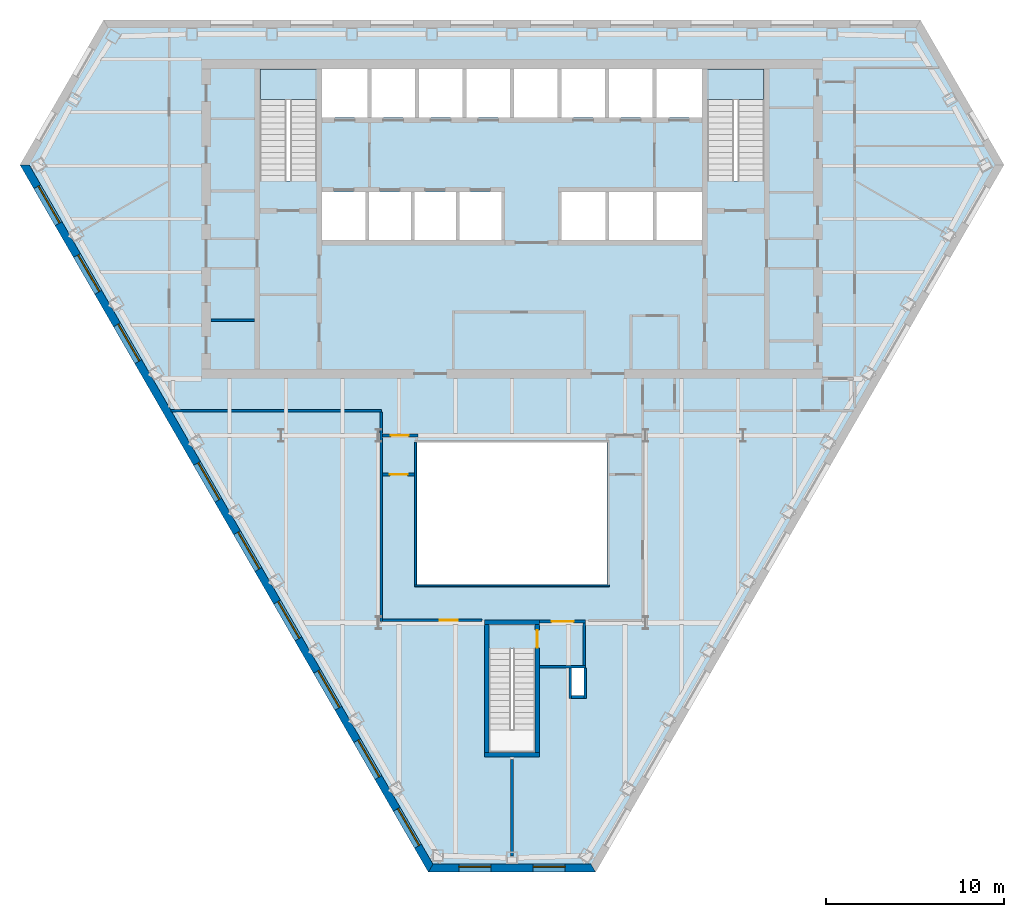
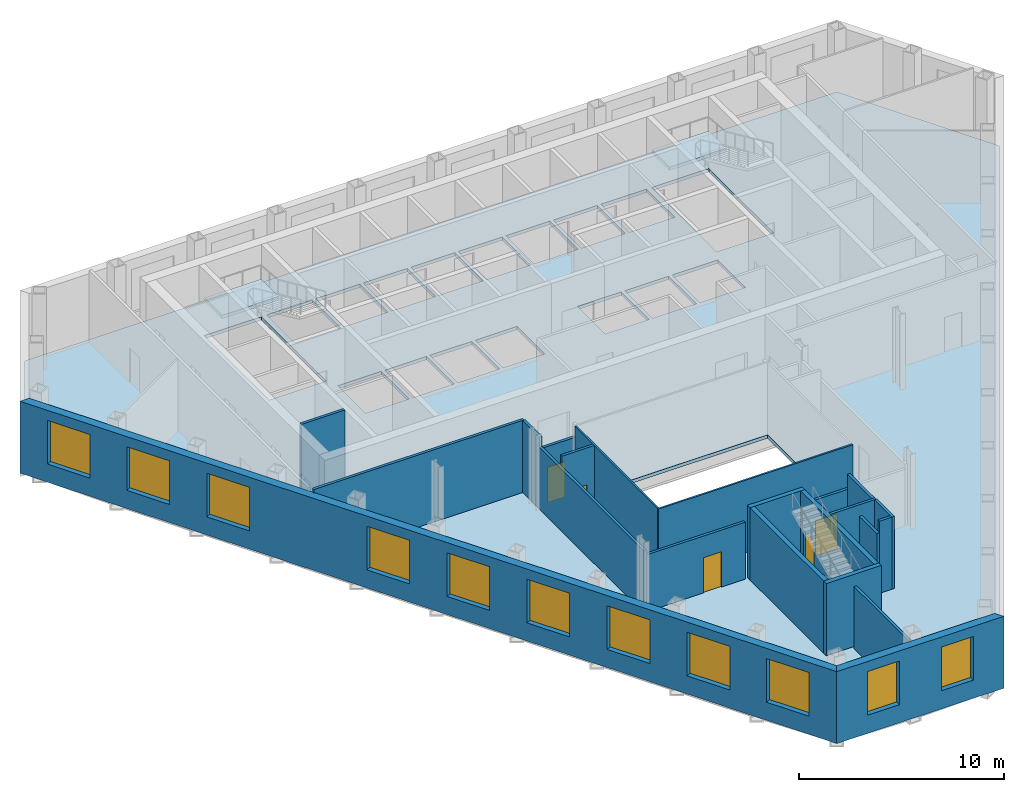
# One storey, part 4 of 11: 22 walls, 11 windows, 5 doors, 3 slabs, 16 openings, 2 elements without a shape of their own.
"""IFC4 building model written with IfcOpenShell, lengths in metres."""

from ifc_helpers import new_model, si_unit, direction, frame, frame_2d, origin, place, context, subcontext, project, spatial, polyline, rectangle, outline, extrude, material, layer, layer_set, type_object, element, fill, aggregate, save


model = new_model("IFC4")

# Units and contexts
model_context = context("Model", 3, precision=1e-05, world=origin(), true_north=direction((0.0, 1.0)))
body_context = subcontext(model_context, "Body", "Model", "MODEL_VIEW")
ifc_project = project(units=[si_unit("LENGTHUNIT", "METRE"), si_unit("AREAUNIT", "SQUARE_METRE"), si_unit("VOLUMEUNIT", "CUBIC_METRE"), si_unit("PLANEANGLEUNIT", "RADIAN"), si_unit("MASSUNIT", "GRAM", prefix="KILO")], contexts=[model_context])

# Site, building, storey
site_placement = place(None, origin())
site = spatial("IfcSite", under=ifc_project, at=site_placement, CompositionType="ELEMENT")
building_placement = place(site_placement, origin())
building = spatial("IfcBuilding", under=site, at=building_placement, Name="Njiva Tower", CompositionType="ELEMENT")
storey_placement = place(building_placement, frame((0.0, 0.0, 124.8)))
storey = spatial("IfcBuildingStorey", under=building, at=storey_placement, Name="L26", CompositionType="ELEMENT", Elevation=124.8)

# Stair, slab
ifc_material_1 = material(Name="Concrete C40/50", Category="concrete")
stair_type = type_object("IfcStairType", Name="ST4 Exit stair 1500", PredefinedType="HALF_TURN_STAIR", material=ifc_material_1)
stair_1_placement = place(storey_placement, origin())
stair_1 = element("IfcStair", 1, at=stair_1_placement, inside=storey, type_object=stair_type, Name="Stair A", PredefinedType="HALF_TURN_STAIR")
ifc_layer_1 = layer(ifc_material_1, 0.2)
ifc_layer_set_1 = layer_set([ifc_layer_1], Name="Concrete C40/50")
slab_type_1 = type_object("IfcSlabType", Name="FL9 Stair landing 200", PredefinedType="LANDING", material=ifc_layer_set_1)
slab_1_placement = place(storey_placement, frame((0.0, 0.0, 2.05)))
slab_1 = element("IfcSlab", 2, at=slab_1_placement, type_object=slab_type_1, Name="ST-A landing 1", PredefinedType="LANDING", context=body_context, shape_type="SweptSolid", body=[
    extrude(outline(polyline([(-14.206, 15.72), (-10.994, 15.72), (-10.994, 17.45), (-14.206, 17.45), (-14.206, 15.72)])), origin(), (0.0, 0.0, 1.0), 0.2),
])
aggregate(stair_1, [slab_1])

stair_2_placement = place(storey_placement, origin())
stair_2 = element("IfcStair", 3, at=stair_2_placement, inside=storey, type_object=stair_type, Name="Stair B", PredefinedType="HALF_TURN_STAIR")
slab_2_placement = place(storey_placement, frame((0.0, 0.0, 2.05)))
slab_2 = element("IfcSlab", 4, at=slab_2_placement, type_object=slab_type_1, Name="ST-B landing 1", PredefinedType="LANDING", context=body_context, shape_type="SweptSolid", body=[
    extrude(outline(polyline([(10.994, 15.72), (14.206, 15.72), (14.206, 17.45), (10.994, 17.45), (10.994, 15.72)])), origin(), (0.0, 0.0, 1.0), 0.2),
])
aggregate(stair_2, [slab_2])

# Slab
ifc_material_2 = material(Name="Concrete C30/37", Category="concrete")
ifc_layer_2 = layer(ifc_material_2, 0.2)
ifc_layer_set_2 = layer_set([ifc_layer_2], Name="Concrete C30/37")
slab_type_2 = type_object("IfcSlabType", Name="SL16 Composite floor slab 200", PredefinedType="FLOOR", material=ifc_layer_set_2)
slab_3_placement = place(storey_placement, frame((0.0, 0.0, -0.2)))
element("IfcSlab", 5, at=slab_3_placement, inside=storey, type_object=slab_type_2, Name="Floor slab L26", PredefinedType="FLOOR", context=body_context, shape_type="SweptSolid", body=[
    extrude(outline(polyline([(27.4502, 12.042), (4.5801, -27.5701), (-4.5801, -27.5701), (-27.4502, 12.042), (-22.8701, 19.975), (22.8701, 19.975), (27.4502, 12.042)]), holes=[polyline([(10.994, 11.13), (14.206, 11.13), (14.206, 17.45), (10.994, 17.45), (10.994, 11.13)]), polyline([(8.125, 17.45), (8.125, 14.7), (10.7, 14.7), (10.7, 17.45), (8.125, 17.45)]), polyline([(8.1333, 10.5), (8.1333, 7.8), (10.7, 7.8), (10.7, 10.5), (8.1333, 10.5)]), polyline([(5.4667, 10.5), (5.4667, 7.8), (7.9333, 7.8), (7.9333, 10.5), (5.4667, 10.5)]), polyline([(5.45, 17.45), (5.45, 14.7), (7.925, 14.7), (7.925, 17.45), (5.45, 17.45)]), polyline([(5.36, -11.6), (5.36, -3.6), (-5.36, -3.6), (-5.36, -11.6), (5.36, -11.6)]), polyline([(2.8, 7.8), (5.2667, 7.8), (5.2667, 10.5), (2.8, 10.5), (2.8, 7.8)]), polyline([(2.775, 14.7), (5.25, 14.7), (5.25, 17.45), (2.775, 17.45), (2.775, 14.7)]), polyline([(3.35, -17.85), (4.05, -17.85), (4.05, -16.3), (3.35, -16.3), (3.35, -17.85)]), polyline([(0.1, 14.7), (2.575, 14.7), (2.575, 17.45), (0.1, 17.45), (0.1, 14.7)]), polyline([(-1.306, -21.05), (1.306, -21.05), (1.306, -15.19), (-1.306, -15.19), (-1.306, -21.05)]), polyline([(-2.575, 17.45), (-2.575, 14.7), (-0.1, 14.7), (-0.1, 17.45), (-2.575, 17.45)]), polyline([(-2.95, 10.5), (-2.95, 7.8), (-0.6, 7.8), (-0.6, 10.5), (-2.95, 10.5)]), polyline([(-5.25, 17.45), (-5.25, 14.7), (-2.775, 14.7), (-2.775, 17.45), (-5.25, 17.45)]), polyline([(-5.5, 10.5), (-5.5, 7.8), (-3.15, 7.8), (-3.15, 10.5), (-5.5, 10.5)]), polyline([(-7.925, 14.7), (-5.45, 14.7), (-5.45, 17.45), (-7.925, 17.45), (-7.925, 14.7)]), polyline([(-8.05, 7.8), (-5.7, 7.8), (-5.7, 10.5), (-8.05, 10.5), (-8.05, 7.8)]), polyline([(-10.7, 14.7), (-8.125, 14.7), (-8.125, 17.45), (-10.7, 17.45), (-10.7, 14.7)]), polyline([(-10.7, 7.8), (-8.25, 7.8), (-8.25, 10.5), (-10.7, 10.5), (-10.7, 7.8)]), polyline([(-14.206, 11.13), (-10.994, 11.13), (-10.994, 17.45), (-14.206, 17.45), (-14.206, 11.13)])]), origin(), (0.0, 0.0, 1.0), 0.2),
])

# Walls
ifc_material_3 = material(Name="Blockwork", Category="masonry")
ifc_layer_3 = layer(ifc_material_3, 0.15)
ifc_layer_set_3 = layer_set([ifc_layer_3], Name="Blockwork")
wall_type_1 = type_object("IfcWallType", Name="WT1 Compartment partition 150", PredefinedType="PARTITIONING", material=ifc_layer_set_3)
wall_1_placement = place(storey_placement, frame((-16.95, 3.2986, 0.0), z_axis=(0.0, 0.0, 1.0), x_axis=(1.0, 0.0, 0.0)))
element("IfcWall", 6, at=wall_1_placement, inside=storey, type_object=wall_type_1, Name="Partition strip W00", PredefinedType="PARTITIONING", context=body_context, shape_type="SweptSolid", body=[
    extrude(rectangle(XDim=2.45, YDim=0.15, at=frame_2d((1.225, 0.0))), origin(), (0.0, 0.0, 1.0), 4.3),
])
ifc_material_4 = material(Name="Gypsum board on steel studs", Category="gypsum")
ifc_layer_4 = layer(ifc_material_4, 0.15)
ifc_layer_set_4 = layer_set([ifc_layer_4], Name="Gypsum board on steel studs")
wall_type_2 = type_object("IfcWallType", Name="WT21 Compartment wall 150", PredefinedType="PARTITIONING", material=ifc_layer_set_4)
wall_2_placement = place(storey_placement, frame((-19.198, -1.8, 0.0), z_axis=(0.0, 0.0, 1.0), x_axis=(1.0, 0.0, 0.0)))
element("IfcWall", 7, at=wall_2_placement, inside=storey, type_object=wall_type_2, Name="Partition S09-P003", PredefinedType="PARTITIONING", context=body_context, shape_type="SweptSolid", body=[
    extrude(rectangle(XDim=11.838, YDim=0.15, at=frame_2d((5.919, 0.0))), origin(), (0.0, 0.0, 1.0), 4.3),
])
wall_3_placement = place(storey_placement, frame((-7.36, -13.675, 0.0), z_axis=(0.0, 0.0, 1.0), x_axis=(0.0, 1.0, 0.0)))
element("IfcWall", 8, at=wall_3_placement, inside=storey, type_object=wall_type_2, Name="Partition S09-P004", PredefinedType="PARTITIONING", context=body_context, shape_type="SweptSolid", body=[
    extrude(rectangle(XDim=10.167, YDim=0.15, at=frame_2d((5.0835, 0.0))), origin(), (0.0, 0.0, 1.0), 3.7),
])
wall_4_placement = place(storey_placement, frame((-7.36, -3.508, 0.0), z_axis=(0.0, 0.0, 1.0), x_axis=(0.0, 1.0, 0.0)))
element("IfcWall", 9, at=wall_4_placement, inside=storey, type_object=wall_type_2, Name="Partition S09-P004A", PredefinedType="PARTITIONING", context=body_context, shape_type="SweptSolid", body=[
    extrude(rectangle(XDim=1.633, YDim=0.15, at=frame_2d((0.8165, 0.0))), origin(), (0.0, 0.0, 1.0), 4.3),
])

# Wall, opening, door
wall_5_placement = place(storey_placement, frame((-7.285, -13.6, 0.0), z_axis=(0.0, 0.0, 1.0), x_axis=(1.0, 0.0, 0.0)))
wall_5 = element("IfcWall", 10, at=wall_5_placement, inside=storey, type_object=wall_type_2, Name="Partition S09-P005", PredefinedType="PARTITIONING", context=body_context, shape_type="SweptSolid", body=[
    extrude(rectangle(XDim=5.585, YDim=0.15, at=frame_2d((2.7925, 0.0))), origin(), (0.0, 0.0, 1.0), 3.39),
])
opening_1_placement = place(wall_5_placement, frame((3.224, 0.0, 0.0)))
opening_1 = element("IfcOpeningElement", 11, at=opening_1_placement, cuts=wall_5, Name="Opening S09-D003", PredefinedType="OPENING", context=body_context, shape_type="SweptSolid", body=[
    extrude(rectangle(XDim=1.0, YDim=2.1, at=frame_2d((0.5, 1.05))), frame((0.0, 0.085, 0.0), z_axis=(0.0, -1.0, 0.0), x_axis=(1.0, 0.0, 0.0)), (0.0, 0.0, 1.0), 0.17),
])
ifc_material_5 = material(Name="Steel fire door set", Category="steel")
door_type_1 = type_object("IfcDoorType", Name="D37 Fire door 1000x2100", OperationType="SINGLE_SWING_LEFT", PredefinedType="DOOR", material=ifc_material_5)
door_1_placement = place(opening_1_placement, origin())
door_1 = element("IfcDoor", 12, at=door_1_placement, inside=storey, type_object=door_type_1, Name="Door S09-D003", OperationType="SINGLE_SWING_RIGHT", OverallHeight=2.1, OverallWidth=1.0, PredefinedType="DOOR", context=body_context, shape_type="SweptSolid", body=[
    extrude(rectangle(XDim=1.0, YDim=2.1, at=frame_2d((0.5, 1.05))), frame((0.0, 0.025, 0.0), z_axis=(0.0, -1.0, 0.0), x_axis=(1.0, 0.0, 0.0)), (0.0, 0.0, 1.0), 0.05),
])
fill(opening_1, door_1)

wall_6_placement = place(storey_placement, frame((-7.285, -5.4, 0.0), z_axis=(0.0, 0.0, 1.0), x_axis=(1.0, 0.0, 0.0)))
wall_6 = element("IfcWall", 13, at=wall_6_placement, inside=storey, type_object=wall_type_2, Name="Partition S09-P006", PredefinedType="PARTITIONING", context=body_context, shape_type="SweptSolid", body=[
    extrude(rectangle(XDim=1.805, YDim=0.15, at=frame_2d((0.9025, 0.0))), origin(), (0.0, 0.0, 1.0), 4.3),
])
opening_2_placement = place(wall_6_placement, frame((0.402, 0.0, 0.0)))
opening_2 = element("IfcOpeningElement", 14, at=opening_2_placement, cuts=wall_6, Name="Opening S09-D004", PredefinedType="OPENING", context=body_context, shape_type="SweptSolid", body=[
    extrude(rectangle(XDim=1.0, YDim=2.1, at=frame_2d((0.5, 1.05))), frame((0.0, 0.085, 0.0), z_axis=(0.0, -1.0, 0.0), x_axis=(1.0, 0.0, 0.0)), (0.0, 0.0, 1.0), 0.17),
])
door_2_placement = place(opening_2_placement, origin())
door_2 = element("IfcDoor", 15, at=door_2_placement, inside=storey, type_object=door_type_1, Name="Door S09-D004", OperationType="SINGLE_SWING_RIGHT", OverallHeight=2.1, OverallWidth=1.0, PredefinedType="DOOR", context=body_context, shape_type="SweptSolid", body=[
    extrude(rectangle(XDim=1.0, YDim=2.1, at=frame_2d((0.5, 1.05))), frame((0.0, 0.025, 0.0), z_axis=(0.0, -1.0, 0.0), x_axis=(1.0, 0.0, 0.0)), (0.0, 0.0, 1.0), 0.05),
])
fill(opening_2, door_2)

wall_7_placement = place(storey_placement, frame((-7.285, -3.2, 0.0), z_axis=(0.0, 0.0, 1.0), x_axis=(1.0, 0.0, 0.0)))
wall_7 = element("IfcWall", 16, at=wall_7_placement, inside=storey, type_object=wall_type_2, Name="Partition S09-P007", PredefinedType="PARTITIONING", context=body_context, shape_type="SweptSolid", body=[
    extrude(rectangle(XDim=2.0, YDim=0.15, at=frame_2d((1.0, 0.0))), origin(), (0.0, 0.0, 1.0), 3.39),
])
opening_3_placement = place(wall_7_placement, frame((0.462, 0.0, 0.0)))
opening_3 = element("IfcOpeningElement", 17, at=opening_3_placement, cuts=wall_7, Name="Opening S09-D005", PredefinedType="OPENING", context=body_context, shape_type="SweptSolid", body=[
    extrude(rectangle(XDim=1.0, YDim=2.1, at=frame_2d((0.5, 1.05))), frame((0.0, 0.085, 0.0), z_axis=(0.0, -1.0, 0.0), x_axis=(1.0, 0.0, 0.0)), (0.0, 0.0, 1.0), 0.17),
])
door_3_placement = place(opening_3_placement, origin())
door_3 = element("IfcDoor", 18, at=door_3_placement, inside=storey, type_object=door_type_1, Name="Door S09-D005", OperationType="SINGLE_SWING_RIGHT", OverallHeight=2.1, OverallWidth=1.0, PredefinedType="DOOR", context=body_context, shape_type="SweptSolid", body=[
    extrude(rectangle(XDim=1.0, YDim=2.1, at=frame_2d((0.5, 1.05))), frame((0.0, 0.025, 0.0), z_axis=(0.0, -1.0, 0.0), x_axis=(1.0, 0.0, 0.0)), (0.0, 0.0, 1.0), 0.05),
])
fill(opening_3, door_3)

# Walls
wall_8_placement = place(storey_placement, frame((0.0, -26.895, 0.0), z_axis=(0.0, 0.0, 1.0), x_axis=(0.0, 1.0, 0.0)))
element("IfcWall", 19, at=wall_8_placement, inside=storey, type_object=wall_type_2, Name="Partition S09-P009", PredefinedType="PARTITIONING", context=body_context, shape_type="SweptSolid", body=[
    extrude(rectangle(XDim=5.445, YDim=0.15, at=frame_2d((2.7225, 0.0))), origin(), (0.0, 0.0, 1.0), 3.7),
])
ifc_layer_5 = layer(ifc_material_3, 0.15)
ifc_layer_set_5 = layer_set([ifc_layer_5], Name="Blockwork")
wall_type_3 = type_object("IfcWallType", Name="WT4 Stair partition 150", PredefinedType="PARTITIONING", material=ifc_layer_set_5)
wall_9_placement = place(storey_placement, frame((1.55, -16.225, 0.0), z_axis=(0.0, 0.0, 1.0), x_axis=(1.0, 0.0, 0.0)))
element("IfcWall", 20, at=wall_9_placement, inside=storey, type_object=wall_type_3, Name="Stair C vestibule wall south", PredefinedType="PARTITIONING", context=body_context, shape_type="SweptSolid", body=[
    extrude(rectangle(XDim=2.6, YDim=0.15, at=frame_2d((1.3, 0.0))), origin(), (0.0, 0.0, 1.0), 4.3),
])
wall_10_placement = place(storey_placement, frame((4.075, -16.15, 0.0), z_axis=(0.0, 0.0, 1.0), x_axis=(0.0, 1.0, 0.0)))
element("IfcWall", 21, at=wall_10_placement, inside=storey, type_object=wall_type_3, Name="Stair C vestibule wall east", PredefinedType="PARTITIONING", context=body_context, shape_type="SweptSolid", body=[
    extrude(rectangle(XDim=2.4, YDim=0.15, at=frame_2d((1.2, 0.0))), origin(), (0.0, 0.0, 1.0), 4.3),
])

# Wall, opening, door
wall_11_placement = place(storey_placement, frame((1.55, -13.675, 0.0), z_axis=(0.0, 0.0, 1.0), x_axis=(1.0, 0.0, 0.0)))
wall_11 = element("IfcWall", 22, at=wall_11_placement, inside=storey, type_object=wall_type_3, Name="Stair C vestibule wall north", PredefinedType="PARTITIONING", context=body_context, shape_type="SweptSolid", body=[
    extrude(rectangle(XDim=2.6, YDim=0.15, at=frame_2d((1.3, 0.0))), origin(), (0.0, 0.0, 1.0), 3.39),
])
opening_4_placement = place(wall_11_placement, frame((0.675, 0.0, 0.0)))
opening_4 = element("IfcOpeningElement", 23, at=opening_4_placement, cuts=wall_11, Name="Opening S09-D940", PredefinedType="OPENING", context=body_context, shape_type="SweptSolid", body=[
    extrude(rectangle(XDim=1.25, YDim=2.1, at=frame_2d((0.625, 1.05))), frame((0.0, 0.085, 0.0), z_axis=(0.0, -1.0, 0.0), x_axis=(1.0, 0.0, 0.0)), (0.0, 0.0, 1.0), 0.17),
])
ifc_material_6 = material(Name="Glazed steel fire door", Category="steel")
door_type_2 = type_object("IfcDoorType", Name="D8 Vestibule corridor door 1250x2100 glazed", OperationType="SINGLE_SWING_LEFT", PredefinedType="DOOR", material=ifc_material_6)
door_4_placement = place(opening_4_placement, origin())
door_4 = element("IfcDoor", 24, at=door_4_placement, inside=storey, type_object=door_type_2, Name="Stair vestibule corridor door", OperationType="SINGLE_SWING_RIGHT", OverallHeight=2.1, OverallWidth=1.25, PredefinedType="DOOR", context=body_context, shape_type="SweptSolid", body=[
    extrude(rectangle(XDim=1.25, YDim=2.1, at=frame_2d((0.625, 1.05))), frame((0.0, 0.025, 0.0), z_axis=(0.0, -1.0, 0.0), x_axis=(1.0, 0.0, 0.0)), (0.0, 0.0, 1.0), 0.05),
])
fill(opening_4, door_4)

# Walls
wall_12_placement = place(storey_placement, frame((3.275, -18.0, 0.0), z_axis=(0.0, 0.0, 1.0), x_axis=(0.0, 1.0, 0.0)))
element("IfcWall", 25, at=wall_12_placement, inside=storey, type_object=wall_type_3, Name="Stair C pressurisation shaft wall", PredefinedType="PARTITIONING", context=body_context, shape_type="SweptSolid", body=[
    extrude(rectangle(XDim=1.7, YDim=0.15, at=frame_2d((0.85, 0.0))), origin(), (0.0, 0.0, 1.0), 3.61),
])
wall_13_placement = place(storey_placement, frame((3.35, -17.925, 0.0), z_axis=(0.0, 0.0, 1.0), x_axis=(1.0, 0.0, 0.0)))
element("IfcWall", 26, at=wall_13_placement, inside=storey, type_object=wall_type_3, Name="Stair C pressurisation shaft wall", PredefinedType="PARTITIONING", context=body_context, shape_type="SweptSolid", body=[
    extrude(rectangle(XDim=0.7, YDim=0.15, at=frame_2d((0.35, 0.0))), origin(), (0.0, 0.0, 1.0), 4.3),
])
wall_14_placement = place(storey_placement, frame((4.125, -18.0, 0.0), z_axis=(0.0, 0.0, 1.0), x_axis=(0.0, 1.0, 0.0)))
element("IfcWall", 27, at=wall_14_placement, inside=storey, type_object=wall_type_3, Name="Stair C pressurisation shaft wall", PredefinedType="PARTITIONING", context=body_context, shape_type="SweptSolid", body=[
    extrude(rectangle(XDim=1.7, YDim=0.15, at=frame_2d((0.85, 0.0))), origin(), (0.0, 0.0, 1.0), 4.3),
])
ifc_layer_6 = layer(ifc_material_1, 0.25)
ifc_layer_set_6 = layer_set([ifc_layer_6], Name="Concrete C40/50")
wall_type_4 = type_object("IfcWallType", Name="WT9 Stair enclosure wall 250", PredefinedType="SHEAR", material=ifc_layer_set_6)
wall_15_placement = place(storey_placement, frame((-1.425, -21.05, 0.0), z_axis=(0.0, 0.0, 1.0), x_axis=(0.0, 1.0, 0.0)))
element("IfcWall", 28, at=wall_15_placement, inside=storey, type_object=wall_type_4, Name="Stair C wall west", PredefinedType="SHEAR", context=body_context, shape_type="SweptSolid", body=[
    extrude(rectangle(XDim=7.2, YDim=0.25, at=frame_2d((3.6, 0.0))), origin(), (0.0, 0.0, 1.0), 4.3),
])

# Wall, opening, door
wall_16_placement = place(storey_placement, frame((1.425, -21.05, 0.0), z_axis=(0.0, 0.0, 1.0), x_axis=(0.0, 1.0, 0.0)))
wall_16 = element("IfcWall", 29, at=wall_16_placement, inside=storey, type_object=wall_type_4, Name="Stair C wall east", PredefinedType="SHEAR", context=body_context, shape_type="SweptSolid", body=[
    extrude(rectangle(XDim=7.2, YDim=0.25, at=frame_2d((3.6, 0.0))), origin(), (0.0, 0.0, 1.0), 4.3),
])
opening_5_placement = place(wall_16_placement, frame((5.89, 0.0, 0.0)))
opening_5 = element("IfcOpeningElement", 30, at=opening_5_placement, cuts=wall_16, Name="Opening S09-D939", PredefinedType="OPENING", context=body_context, shape_type="SweptSolid", body=[
    extrude(rectangle(XDim=1.0, YDim=2.1, at=frame_2d((0.5, 1.05))), frame((0.0, 0.135, 0.0), z_axis=(0.0, -1.0, 0.0), x_axis=(1.0, 0.0, 0.0)), (0.0, 0.0, 1.0), 0.27),
])
door_type_3 = type_object("IfcDoorType", Name="D9 Stair vestibule door 1000x2100 glazed", OperationType="SINGLE_SWING_LEFT", PredefinedType="DOOR", material=ifc_material_6)
door_5_placement = place(opening_5_placement, origin())
door_5 = element("IfcDoor", 31, at=door_5_placement, inside=storey, type_object=door_type_3, Name="Stair C door", OperationType="SINGLE_SWING_LEFT", OverallHeight=2.1, OverallWidth=1.0, PredefinedType="DOOR", context=body_context, shape_type="SweptSolid", body=[
    extrude(rectangle(XDim=1.0, YDim=2.1, at=frame_2d((0.5, 1.05))), frame((0.0, 0.025, 0.0), z_axis=(0.0, -1.0, 0.0), x_axis=(1.0, 0.0, 0.0)), (0.0, 0.0, 1.0), 0.05),
])
fill(opening_5, door_5)

# Walls
for number, where, z_axis, x_axis, name in (
    (32, (-1.55, -21.175, 0.0), (0.0, 0.0, 1.0), (1.0, 0.0, 0.0), "Stair C wall south"),
    (33, (-1.55, -13.725, 0.0), (0.0, 0.0, 1.0), (1.0, 0.0, 0.0), "Stair C wall north"),
):
    element("IfcWall", number, at=place(storey_placement, frame(where, z_axis=z_axis, x_axis=x_axis)), inside=storey, type_object=wall_type_4, Name=name, PredefinedType="SHEAR", context=body_context, shape_type="SweptSolid", body=[
        extrude(rectangle(XDim=3.1, YDim=0.25, at=frame_2d((1.55, 0.0))), origin(), (0.0, 0.0, 1.0), 4.3),
    ])

# Wall, openings, windows
ifc_material_7 = material(Name="Brick masonry", Category="masonry")
ifc_layer_7 = layer(ifc_material_7, 0.45)
ifc_layer_set_7 = layer_set([ifc_layer_7], Name="Brick masonry")
wall_type_5 = type_object("IfcWallType", Name="WT90 Brick pier and spandrel wall 450", PredefinedType="SOLIDWALL", material=ifc_layer_set_7)
wall_17_placement = place(storey_placement, frame((-27.4502, 12.042, -0.18), z_axis=(0.0, 0.0, 1.0), x_axis=(0.500000711659, -0.866024992908, 0.0)))
wall_17 = element("IfcWall", 34, at=wall_17_placement, inside=storey, type_object=wall_type_5, Name="Facade wall SW", PredefinedType="SOLIDWALL", context=body_context, shape_type="SweptSolid", body=[
    extrude(outline(polyline([(-0.1299, -0.225), (45.87, -0.225), (45.6102, 0.225), (0.1299, 0.225), (-0.1299, -0.225)])), origin(), (0.0, 0.0, 1.0), 4.28),
])
opening_6_placement = place(wall_17_placement, frame((1.4242, 0.0, 1.08)))
opening_6 = element("IfcOpeningElement", 35, at=opening_6_placement, cuts=wall_17, Name="Opening S09-W12", PredefinedType="OPENING", context=body_context, shape_type="SweptSolid", body=[
    extrude(rectangle(XDim=2.4, YDim=2.6, at=frame_2d((1.2, 1.3))), frame((0.0, 0.235, 0.0), z_axis=(0.0, -1.0, 0.0), x_axis=(1.0, 0.0, 0.0)), (0.0, 0.0, 1.0), 0.47),
])
opening_7_placement = place(wall_17_placement, frame((5.8934, 0.0, 1.08)))
opening_7 = element("IfcOpeningElement", 36, at=opening_7_placement, cuts=wall_17, Name="Opening S09-W13", PredefinedType="OPENING", context=body_context, shape_type="SweptSolid", body=[
    extrude(rectangle(XDim=2.4, YDim=2.6, at=frame_2d((1.2, 1.3))), frame((0.0, 0.235, 0.0), z_axis=(0.0, -1.0, 0.0), x_axis=(1.0, 0.0, 0.0)), (0.0, 0.0, 1.0), 0.47),
])
opening_8_placement = place(wall_17_placement, frame((10.401, 0.0, 1.08)))
opening_8 = element("IfcOpeningElement", 37, at=opening_8_placement, cuts=wall_17, Name="Opening S09-W14", PredefinedType="OPENING", context=body_context, shape_type="SweptSolid", body=[
    extrude(rectangle(XDim=2.4, YDim=2.6, at=frame_2d((1.2, 1.3))), frame((0.0, 0.235, 0.0), z_axis=(0.0, -1.0, 0.0), x_axis=(1.0, 0.0, 0.0)), (0.0, 0.0, 1.0), 0.47),
])
opening_9_placement = place(wall_17_placement, frame((19.4163, 0.0, 1.08)))
opening_9 = element("IfcOpeningElement", 38, at=opening_9_placement, cuts=wall_17, Name="Opening S09-W15", PredefinedType="OPENING", context=body_context, shape_type="SweptSolid", body=[
    extrude(rectangle(XDim=2.4, YDim=2.6, at=frame_2d((1.2, 1.3))), frame((0.0, 0.235, 0.0), z_axis=(0.0, -1.0, 0.0), x_axis=(1.0, 0.0, 0.0)), (0.0, 0.0, 1.0), 0.47),
])
opening_10_placement = place(wall_17_placement, frame((23.9239, 0.0, 1.08)))
opening_10 = element("IfcOpeningElement", 39, at=opening_10_placement, cuts=wall_17, Name="Opening S09-W16", PredefinedType="OPENING", context=body_context, shape_type="SweptSolid", body=[
    extrude(rectangle(XDim=2.4, YDim=2.6, at=frame_2d((1.2, 1.3))), frame((0.0, 0.235, 0.0), z_axis=(0.0, -1.0, 0.0), x_axis=(1.0, 0.0, 0.0)), (0.0, 0.0, 1.0), 0.47),
])
opening_11_placement = place(wall_17_placement, frame((28.4315, 0.0, 1.08)))
opening_11 = element("IfcOpeningElement", 40, at=opening_11_placement, cuts=wall_17, Name="Opening S09-W17", PredefinedType="OPENING", context=body_context, shape_type="SweptSolid", body=[
    extrude(rectangle(XDim=2.4, YDim=2.6, at=frame_2d((1.2, 1.3))), frame((0.0, 0.235, 0.0), z_axis=(0.0, -1.0, 0.0), x_axis=(1.0, 0.0, 0.0)), (0.0, 0.0, 1.0), 0.47),
])
opening_12_placement = place(wall_17_placement, frame((32.9391, 0.0, 1.08)))
opening_12 = element("IfcOpeningElement", 41, at=opening_12_placement, cuts=wall_17, Name="Opening S09-W18", PredefinedType="OPENING", context=body_context, shape_type="SweptSolid", body=[
    extrude(rectangle(XDim=2.4, YDim=2.6, at=frame_2d((1.2, 1.3))), frame((0.0, 0.235, 0.0), z_axis=(0.0, -1.0, 0.0), x_axis=(1.0, 0.0, 0.0)), (0.0, 0.0, 1.0), 0.47),
])
opening_13_placement = place(wall_17_placement, frame((37.4468, 0.0, 1.08)))
opening_13 = element("IfcOpeningElement", 42, at=opening_13_placement, cuts=wall_17, Name="Opening S09-W19", PredefinedType="OPENING", context=body_context, shape_type="SweptSolid", body=[
    extrude(rectangle(XDim=2.4, YDim=2.6, at=frame_2d((1.2, 1.3))), frame((0.0, 0.235, 0.0), z_axis=(0.0, -1.0, 0.0), x_axis=(1.0, 0.0, 0.0)), (0.0, 0.0, 1.0), 0.47),
])
opening_14_placement = place(wall_17_placement, frame((41.916, 0.0, 1.08)))
opening_14 = element("IfcOpeningElement", 43, at=opening_14_placement, cuts=wall_17, Name="Opening S09-W20", PredefinedType="OPENING", context=body_context, shape_type="SweptSolid", body=[
    extrude(rectangle(XDim=2.4, YDim=2.6, at=frame_2d((1.2, 1.3))), frame((0.0, 0.235, 0.0), z_axis=(0.0, -1.0, 0.0), x_axis=(1.0, 0.0, 0.0)), (0.0, 0.0, 1.0), 0.47),
])
ifc_material_8 = material(Name="Clear glazing in aluminium frame", Category="aluminium")
window_type_1 = type_object("IfcWindowType", Name="W92 Deep-set window 2400x2600", PartitioningType="SINGLE_PANEL", PredefinedType="WINDOW", material=ifc_material_8)
window_1_placement = place(opening_6_placement, origin())
window_1 = element("IfcWindow", 44, at=window_1_placement, inside=storey, type_object=window_type_1, Name="Window", OverallHeight=2.6, OverallWidth=2.4, PartitioningType="SINGLE_PANEL", PredefinedType="WINDOW", context=body_context, shape_type="SweptSolid", body=[
    extrude(rectangle(XDim=2.4, YDim=2.6, at=frame_2d((1.2, 1.3))), frame((0.0, 0.105, 0.0), z_axis=(0.0, -1.0, 0.0), x_axis=(1.0, 0.0, 0.0)), (0.0, 0.0, 1.0), 0.06),
])
fill(opening_6, window_1)
window_2_placement = place(opening_7_placement, origin())
window_2 = element("IfcWindow", 45, at=window_2_placement, inside=storey, type_object=window_type_1, Name="Window", OverallHeight=2.6, OverallWidth=2.4, PartitioningType="SINGLE_PANEL", PredefinedType="WINDOW", context=body_context, shape_type="SweptSolid", body=[
    extrude(rectangle(XDim=2.4, YDim=2.6, at=frame_2d((1.2, 1.3))), frame((0.0, 0.105, 0.0), z_axis=(0.0, -1.0, 0.0), x_axis=(1.0, 0.0, 0.0)), (0.0, 0.0, 1.0), 0.06),
])
fill(opening_7, window_2)
window_3_placement = place(opening_8_placement, origin())
window_3 = element("IfcWindow", 46, at=window_3_placement, inside=storey, type_object=window_type_1, Name="Window", OverallHeight=2.6, OverallWidth=2.4, PartitioningType="SINGLE_PANEL", PredefinedType="WINDOW", context=body_context, shape_type="SweptSolid", body=[
    extrude(rectangle(XDim=2.4, YDim=2.6, at=frame_2d((1.2, 1.3))), frame((0.0, 0.105, 0.0), z_axis=(0.0, -1.0, 0.0), x_axis=(1.0, 0.0, 0.0)), (0.0, 0.0, 1.0), 0.06),
])
fill(opening_8, window_3)
window_4_placement = place(opening_9_placement, origin())
window_4 = element("IfcWindow", 47, at=window_4_placement, inside=storey, type_object=window_type_1, Name="Window", OverallHeight=2.6, OverallWidth=2.4, PartitioningType="SINGLE_PANEL", PredefinedType="WINDOW", context=body_context, shape_type="SweptSolid", body=[
    extrude(rectangle(XDim=2.4, YDim=2.6, at=frame_2d((1.2, 1.3))), frame((0.0, 0.105, 0.0), z_axis=(0.0, -1.0, 0.0), x_axis=(1.0, 0.0, 0.0)), (0.0, 0.0, 1.0), 0.06),
])
fill(opening_9, window_4)
window_5_placement = place(opening_10_placement, origin())
window_5 = element("IfcWindow", 48, at=window_5_placement, inside=storey, type_object=window_type_1, Name="Window", OverallHeight=2.6, OverallWidth=2.4, PartitioningType="SINGLE_PANEL", PredefinedType="WINDOW", context=body_context, shape_type="SweptSolid", body=[
    extrude(rectangle(XDim=2.4, YDim=2.6, at=frame_2d((1.2, 1.3))), frame((0.0, 0.105, 0.0), z_axis=(0.0, -1.0, 0.0), x_axis=(1.0, 0.0, 0.0)), (0.0, 0.0, 1.0), 0.06),
])
fill(opening_10, window_5)
window_6_placement = place(opening_11_placement, origin())
window_6 = element("IfcWindow", 49, at=window_6_placement, inside=storey, type_object=window_type_1, Name="Window", OverallHeight=2.6, OverallWidth=2.4, PartitioningType="SINGLE_PANEL", PredefinedType="WINDOW", context=body_context, shape_type="SweptSolid", body=[
    extrude(rectangle(XDim=2.4, YDim=2.6, at=frame_2d((1.2, 1.3))), frame((0.0, 0.105, 0.0), z_axis=(0.0, -1.0, 0.0), x_axis=(1.0, 0.0, 0.0)), (0.0, 0.0, 1.0), 0.06),
])
fill(opening_11, window_6)
window_7_placement = place(opening_12_placement, origin())
window_7 = element("IfcWindow", 50, at=window_7_placement, inside=storey, type_object=window_type_1, Name="Window", OverallHeight=2.6, OverallWidth=2.4, PartitioningType="SINGLE_PANEL", PredefinedType="WINDOW", context=body_context, shape_type="SweptSolid", body=[
    extrude(rectangle(XDim=2.4, YDim=2.6, at=frame_2d((1.2, 1.3))), frame((0.0, 0.105, 0.0), z_axis=(0.0, -1.0, 0.0), x_axis=(1.0, 0.0, 0.0)), (0.0, 0.0, 1.0), 0.06),
])
fill(opening_12, window_7)
window_8_placement = place(opening_13_placement, origin())
window_8 = element("IfcWindow", 51, at=window_8_placement, inside=storey, type_object=window_type_1, Name="Window", OverallHeight=2.6, OverallWidth=2.4, PartitioningType="SINGLE_PANEL", PredefinedType="WINDOW", context=body_context, shape_type="SweptSolid", body=[
    extrude(rectangle(XDim=2.4, YDim=2.6, at=frame_2d((1.2, 1.3))), frame((0.0, 0.105, 0.0), z_axis=(0.0, -1.0, 0.0), x_axis=(1.0, 0.0, 0.0)), (0.0, 0.0, 1.0), 0.06),
])
fill(opening_13, window_8)
window_9_placement = place(opening_14_placement, origin())
window_9 = element("IfcWindow", 52, at=window_9_placement, inside=storey, type_object=window_type_1, Name="Window", OverallHeight=2.6, OverallWidth=2.4, PartitioningType="SINGLE_PANEL", PredefinedType="WINDOW", context=body_context, shape_type="SweptSolid", body=[
    extrude(rectangle(XDim=2.4, YDim=2.6, at=frame_2d((1.2, 1.3))), frame((0.0, 0.105, 0.0), z_axis=(0.0, -1.0, 0.0), x_axis=(1.0, 0.0, 0.0)), (0.0, 0.0, 1.0), 0.06),
])
fill(opening_14, window_9)

ifc_material_9 = material(Name="Brick masonry, buff", Category="masonry")
ifc_layer_8 = layer(ifc_material_9, 0.45)
ifc_layer_set_8 = layer_set([ifc_layer_8], Name="Brick masonry, buff")
wall_type_6 = type_object("IfcWallType", Name="WT94 Brick pier and spandrel wall 450, buff", PredefinedType="SOLIDWALL", material=ifc_layer_set_8)
wall_18_placement = place(storey_placement, frame((-4.5801, -27.5701, -0.18), z_axis=(0.0, 0.0, 1.0), x_axis=(1.0, 0.0, 0.0)))
wall_18 = element("IfcWall", 53, at=wall_18_placement, inside=storey, type_object=wall_type_6, Name="Facade wall S", PredefinedType="SOLIDWALL", context=body_context, shape_type="SweptSolid", body=[
    extrude(outline(polyline([(-0.1299, -0.225), (9.2901, -0.225), (9.0303, 0.225), (0.1299, 0.225), (-0.1299, -0.225)])), origin(), (0.0, 0.0, 1.0), 4.28),
])
opening_15_placement = place(wall_18_placement, frame((1.5944, 0.0, 1.08)))
opening_15 = element("IfcOpeningElement", 54, at=opening_15_placement, cuts=wall_18, Name="Opening S09-W21", PredefinedType="OPENING", context=body_context, shape_type="SweptSolid", body=[
    extrude(rectangle(XDim=1.8, YDim=2.6, at=frame_2d((0.9, 1.3))), frame((0.0, 0.235, 0.0), z_axis=(0.0, -1.0, 0.0), x_axis=(1.0, 0.0, 0.0)), (0.0, 0.0, 1.0), 0.47),
])
opening_16_placement = place(wall_18_placement, frame((5.7657, 0.0, 1.08)))
opening_16 = element("IfcOpeningElement", 55, at=opening_16_placement, cuts=wall_18, Name="Opening S09-W22", PredefinedType="OPENING", context=body_context, shape_type="SweptSolid", body=[
    extrude(rectangle(XDim=1.8, YDim=2.6, at=frame_2d((0.9, 1.3))), frame((0.0, 0.235, 0.0), z_axis=(0.0, -1.0, 0.0), x_axis=(1.0, 0.0, 0.0)), (0.0, 0.0, 1.0), 0.47),
])
window_type_2 = type_object("IfcWindowType", Name="W96 Deep-set window 1800x2600", PartitioningType="SINGLE_PANEL", PredefinedType="WINDOW", material=ifc_material_8)
window_10_placement = place(opening_15_placement, origin())
window_10 = element("IfcWindow", 56, at=window_10_placement, inside=storey, type_object=window_type_2, Name="Window", OverallHeight=2.6, OverallWidth=1.8, PartitioningType="SINGLE_PANEL", PredefinedType="WINDOW", context=body_context, shape_type="SweptSolid", body=[
    extrude(rectangle(XDim=1.8, YDim=2.6, at=frame_2d((0.9, 1.3))), frame((0.0, 0.105, 0.0), z_axis=(0.0, -1.0, 0.0), x_axis=(1.0, 0.0, 0.0)), (0.0, 0.0, 1.0), 0.06),
])
fill(opening_15, window_10)
window_11_placement = place(opening_16_placement, origin())
window_11 = element("IfcWindow", 57, at=window_11_placement, inside=storey, type_object=window_type_2, Name="Window", OverallHeight=2.6, OverallWidth=1.8, PartitioningType="SINGLE_PANEL", PredefinedType="WINDOW", context=body_context, shape_type="SweptSolid", body=[
    extrude(rectangle(XDim=1.8, YDim=2.6, at=frame_2d((0.9, 1.3))), frame((0.0, 0.105, 0.0), z_axis=(0.0, -1.0, 0.0), x_axis=(1.0, 0.0, 0.0)), (0.0, 0.0, 1.0), 0.06),
])
fill(opening_16, window_11)

# Walls
ifc_material_10 = material(Name="Fire-resisting glazing EI 90", Category="glass")
ifc_layer_9 = layer(ifc_material_10, 0.1)
ifc_layer_set_9 = layer_set([ifc_layer_9], Name="Fire-resisting glazing EI 90")
wall_type_7 = type_object("IfcWallType", Name="WT95 Fire-resisting glazed screen EI 90", PredefinedType="PARTITIONING", material=ifc_layer_set_9)
wall_19_placement = place(storey_placement, frame((-5.48, -11.67, 0.0), z_axis=(0.0, 0.0, 1.0), x_axis=(1.0, 0.0, 0.0)))
element("IfcWall", 58, at=wall_19_placement, inside=storey, type_object=wall_type_7, Name="Atrium fire screen south", PredefinedType="PARTITIONING", context=body_context, shape_type="SweptSolid", body=[
    extrude(rectangle(XDim=10.96, YDim=0.1, at=frame_2d((5.48, 0.0))), origin(), (0.0, 0.0, 1.0), 4.3),
])
wall_20_placement = place(storey_placement, frame((-5.43, -3.58, 0.0), z_axis=(0.0, 0.0, 1.0), x_axis=(0.0, -1.0, 0.0)))
element("IfcWall", 59, at=wall_20_placement, inside=storey, type_object=wall_type_7, Name="Atrium fire screen west", PredefinedType="PARTITIONING", context=body_context, shape_type="SweptSolid", body=[
    extrude(rectangle(XDim=8.04, YDim=0.1, at=frame_2d((4.02, 0.0))), origin(), (0.0, 0.0, 1.0), 4.3),
])

save(model, "model.ifc")
